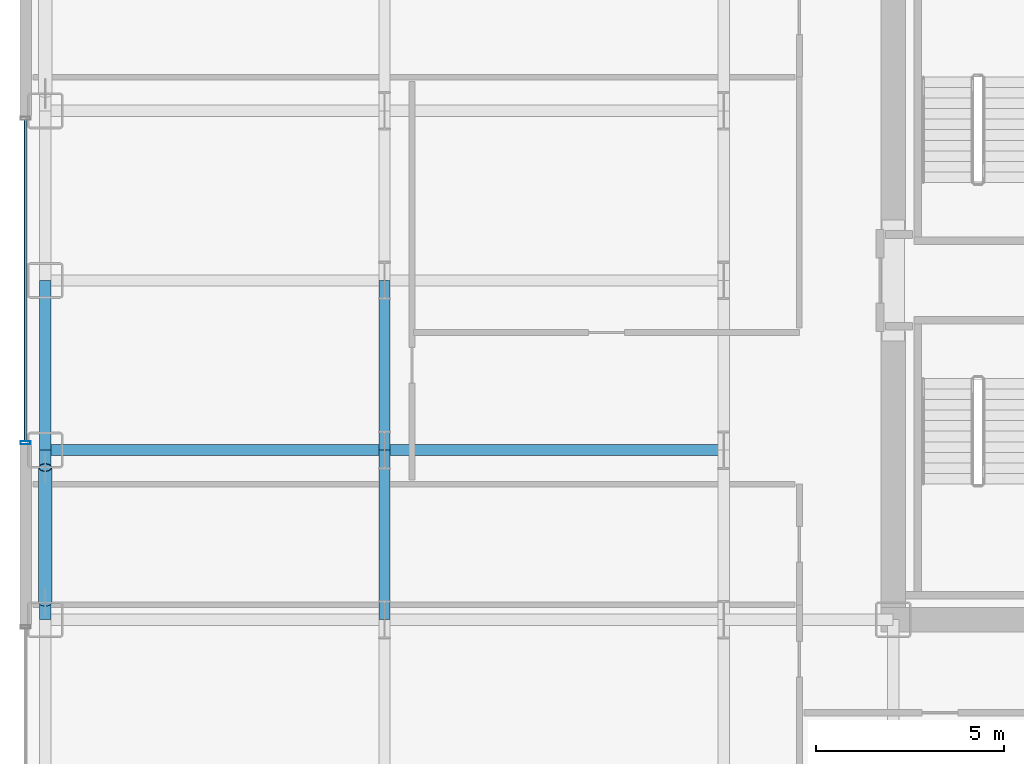
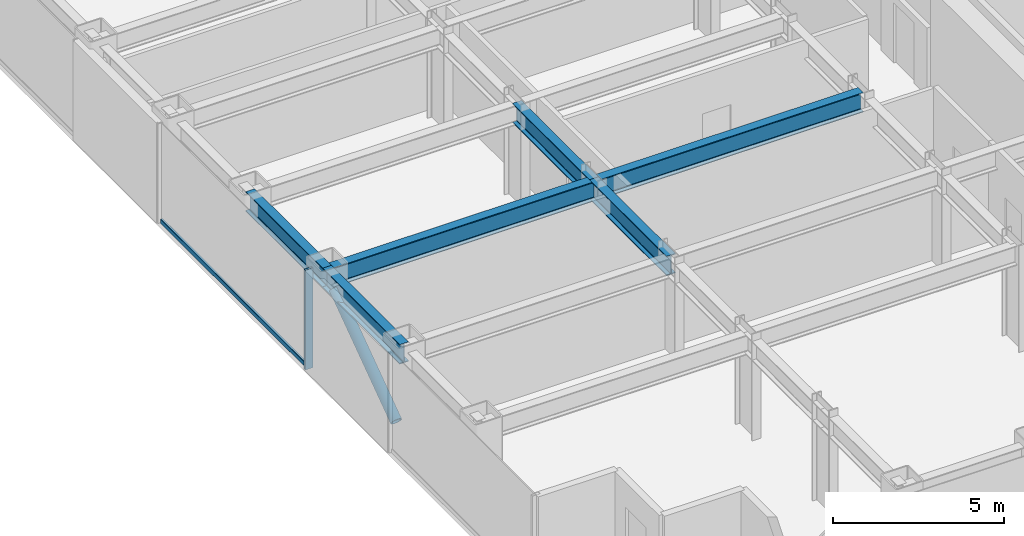
# One storey, part 5 of 29: 6 beams, 3 members, 1 element without a shape of its own.
"""IFC4 building model written with IfcOpenShell, lengths in metres."""

from ifc_helpers import new_model, si_unit, direction, frame, origin, origin_2d, place, context, subcontext, project, spatial, hollow_rectangle, hollow_circle, i_section, extrude, source, transform, mapped, material, layer, layer_set, material_profile, profile_set, type_object, element, aggregate, save


model = new_model("IFC4")

# Units and contexts
model_context = context("Model", 3, precision=1e-05, world=origin(), true_north=direction((0.0, 1.0)))
body_context = subcontext(model_context, "Body", "Model", "MODEL_VIEW")
ifc_project = project(units=[si_unit("LENGTHUNIT", "METRE"), si_unit("AREAUNIT", "SQUARE_METRE"), si_unit("VOLUMEUNIT", "CUBIC_METRE"), si_unit("PLANEANGLEUNIT", "RADIAN"), si_unit("MASSUNIT", "GRAM", prefix="KILO")], contexts=[model_context])

# Site, building, storey
site_placement = place(None, origin())
site = spatial("IfcSite", under=ifc_project, at=site_placement, CompositionType="ELEMENT")
building_placement = place(site_placement, origin())
building = spatial("IfcBuilding", under=site, at=building_placement, Name="Nefas-Gora Pilgrimage Tower", CompositionType="ELEMENT")
storey_placement = place(building_placement, frame((0.0, 0.0, 67.199951171875)))
storey = spatial("IfcBuildingStorey", under=building, at=storey_placement, Name="L15", CompositionType="ELEMENT", Elevation=67.199951171875)

# Beams
ifc_material_1 = material(Name="Steel S355", Category="steel")
ifc_material_profile_1 = material_profile(ifc_material_1, i_section(OverallWidth=0.300048828125, OverallDepth=0.699951171875, WebThickness=0.01708984375, FlangeThickness=0.031982421875, FilletRadius=0.027099609375, at=origin_2d()), Name="HEB 700")
ifc_profile_set_1 = profile_set([ifc_material_profile_1], Name="Steel S355")
beam_type_1 = type_object("IfcBeamType", Name="BM-SPN-HEB600", PredefinedType="SPANDREL", material=ifc_profile_set_1)
shared_shape_1 = source(origin(), body_context, "Body", "SweptSolid", [
    extrude(i_section(OverallWidth=0.300048828125, OverallDepth=0.699951171875, WebThickness=0.01708984375, FlangeThickness=0.031982421875, FilletRadius=0.027099609375, at=origin_2d()), origin(), (0.0, 0.0, 1.0), 4.5),
])
for number, where, z_axis, x_axis, name in (
    (1, (-33.75, -9.0, 3.199951171875), (0.0, 1.0, 0.0), (-1.0, 0.0, 0.0), "L15 SP-01 beam"),
    (2, (-33.75, -4.5, 3.199951171875), (0.0, 1.0, 0.0), (-1.0, 0.0, 0.0), "L15 SP-01 beam"),
):
    element("IfcBeam", number, at=place(storey_placement, frame(where, z_axis=z_axis, x_axis=x_axis)), inside=storey, type_object=beam_type_1, Name=name, PredefinedType="SPANDREL", context=body_context, shape_type="MappedRepresentation", body=[
        mapped(shared_shape_1, transform((0.0, 0.0, 0.0), x_axis=(1.0, 0.0, 0.0), y_axis=(0.0, 1.0, 0.0), z_axis=(0.0, 0.0, 1.0), scale=1.0)),
    ])
ifc_material_profile_2 = material_profile(ifc_material_1, i_section(OverallWidth=0.300048828125, OverallDepth=0.699951171875, WebThickness=0.01708984375, FlangeThickness=0.031982421875, FilletRadius=0.027099609375, at=origin_2d()), Name="HEB 700")
ifc_profile_set_2 = profile_set([ifc_material_profile_2], Name="Steel S355")
beam_type_2 = type_object("IfcBeamType", Name="BM-GIR-HEB700", PredefinedType="BEAM", material=ifc_profile_set_2)
shared_shape_2 = source(origin(), body_context, "Body", "SweptSolid", [
    extrude(i_section(OverallWidth=0.300048828125, OverallDepth=0.699951171875, WebThickness=0.01708984375, FlangeThickness=0.031982421875, FilletRadius=0.027099609375, at=origin_2d()), origin(), (0.0, 0.0, 1.0), 9.0),
])
for number, where, z_axis, x_axis, name in (
    (3, (-33.75, -4.5, 3.199951171875), (1.0, 0.0, 0.0), (0.0, 1.0, 0.0), "L15 G-02 beam"),
    (4, (-24.75, -4.5, 3.199951171875), (1.0, 0.0, 0.0), (0.0, 1.0, 0.0), "L15 G-02 beam"),
):
    element("IfcBeam", number, at=place(storey_placement, frame(where, z_axis=z_axis, x_axis=x_axis)), inside=storey, type_object=beam_type_2, Name=name, PredefinedType="BEAM", context=body_context, shape_type="MappedRepresentation", body=[
        mapped(shared_shape_2, transform((0.0, 0.0, 0.0), x_axis=(1.0, 0.0, 0.0), y_axis=(0.0, 1.0, 0.0), z_axis=(0.0, 0.0, 1.0), scale=1.0)),
    ])
shared_shape_3 = source(origin(), body_context, "Body", "SweptSolid", [
    extrude(i_section(OverallWidth=0.300048828125, OverallDepth=0.699951171875, WebThickness=0.01708984375, FlangeThickness=0.031982421875, FilletRadius=0.027099609375, at=origin_2d()), origin(), (0.0, 0.0, 1.0), 4.5),
])
for number, where, z_axis, x_axis, name in (
    (5, (-24.75, -9.0, 3.199951171875), (0.0, 1.0, 0.0), (-1.0, 0.0, 0.0), "L15 G-02 beam"),
    (6, (-24.75, -4.5, 3.199951171875), (0.0, 1.0, 0.0), (-1.0, 0.0, 0.0), "L15 G-02 beam"),
):
    element("IfcBeam", number, at=place(storey_placement, frame(where, z_axis=z_axis, x_axis=x_axis)), inside=storey, type_object=beam_type_2, Name=name, PredefinedType="BEAM", context=body_context, shape_type="MappedRepresentation", body=[
        mapped(shared_shape_3, transform((0.0, 0.0, 0.0), x_axis=(1.0, 0.0, 0.0), y_axis=(0.0, 1.0, 0.0), z_axis=(0.0, 0.0, 1.0), scale=1.0)),
    ])

# Member
ifc_material_2 = material(Name="Steel S460", Category="steel")
ifc_material_profile_3 = material_profile(ifc_material_2, hollow_circle(Radius=0.177734375, WallThickness=0.02001953125, at=origin_2d()), Name="CHS 355.6x20")
ifc_profile_set_3 = profile_set([ifc_material_profile_3], Name="Steel S460")
member_type_1 = type_object("IfcMemberType", Name="MEM-TUBE-356", PredefinedType="BRACE", material=ifc_profile_set_3)
shared_shape_4 = source(origin(), body_context, "Body", "SweptSolid", [
    extrude(hollow_circle(Radius=0.177734375, WallThickness=0.02001953125, at=origin_2d()), origin(), (0.0, 0.0, 1.0), 4.39501953125),
])
member_1_placement = place(storey_placement, frame((-33.75, -8.537109375, 0.4814453125), z_axis=(0.0, 0.813264026864, 0.581894855287), x_axis=(-1.0, 0.0, 0.0)))
element("IfcMember", 7, at=member_1_placement, inside=storey, type_object=member_type_1, Name="L15 Perimeter Tube Diagonal Brace W1", PredefinedType="BRACE", context=body_context, shape_type="MappedRepresentation", body=[
    mapped(shared_shape_4, transform((0.0, 0.0, 0.0), x_axis=(1.0, 0.0, 0.0), y_axis=(0.0, 1.0, 0.0), z_axis=(0.0, 0.0, 1.0), scale=1.0)),
])

# Curtain wall, members
ifc_material_3 = material(Name="Dark ceramic-fritted solar-control aluminium-glass curtain wall", Category="aluminium")
ifc_layer = layer(ifc_material_3, 0.219970703125)
ifc_layer_set = layer_set([ifc_layer], Name="Dark ceramic-fritted solar-control aluminium-glass curtain wall")
curtain_wall_type = type_object("IfcCurtainWallType", Name="CW-SYS-2", PredefinedType="NOTDEFINED", material=ifc_layer_set)
curtain_wall_placement = place(storey_placement, origin())
curtain_wall = element("IfcCurtainWall", 8, at=curtain_wall_placement, inside=storey, type_object=curtain_wall_type, Name="L15 Unitised Curtain Wall CW2", PredefinedType="NOTDEFINED")
ifc_material_4 = material(Name="Anodised architectural aluminium", Category="aluminium")
ifc_material_profile_4 = material_profile(ifc_material_4, hollow_rectangle(XDim=0.090087890625, YDim=0.260009765625, WallThickness=0.006103515625, InnerFilletRadius=0.006103515625, OuterFilletRadius=0.011962890625, at=origin_2d()), Name="ALU MULLION 90x260")
ifc_profile_set_4 = profile_set([ifc_material_profile_4], Name="Anodised architectural aluminium")
member_type_2 = type_object("IfcMemberType", Name="CWM-MUL-2", PredefinedType="MULLION", material=ifc_profile_set_4)
shared_shape_5 = source(origin(), body_context, "Body", "SweptSolid", [
    extrude(hollow_rectangle(XDim=0.090087890625, YDim=0.260009765625, WallThickness=0.006103515625, InnerFilletRadius=0.006103515625, OuterFilletRadius=0.011962890625, at=origin_2d()), origin(), (0.0, 0.0, 1.0), 3.550048828125),
])
member_2_placement = place(storey_placement, frame((-34.27001953125, -4.304931640625, 0.0), z_axis=(0.0, 0.0, 1.0), x_axis=(0.0, -1.0, 0.0)))
member_2 = element("IfcMember", 9, at=member_2_placement, type_object=member_type_2, Name="CW2 Mullion 2", PredefinedType="MULLION", context=body_context, shape_type="MappedRepresentation", body=[
    mapped(shared_shape_5, transform((0.0, 0.0, 0.0), x_axis=(1.0, 0.0, 0.0), y_axis=(0.0, 1.0, 0.0), z_axis=(0.0, 0.0, 1.0), scale=1.0)),
])
ifc_material_profile_5 = material_profile(ifc_material_4, hollow_rectangle(XDim=0.080078125, YDim=0.159912109375, WallThickness=0.00439453125, InnerFilletRadius=0.00439453125, OuterFilletRadius=0.009033203125, at=origin_2d()), Name="ALU TRANSOM 80x160")
ifc_profile_set_5 = profile_set([ifc_material_profile_5], Name="Anodised architectural aluminium")
member_type_3 = type_object("IfcMemberType", Name="CWM-TRN-2", PredefinedType="USERDEFINED", material=ifc_profile_set_5)
shared_shape_6 = source(origin(), body_context, "Body", "SweptSolid", [
    extrude(hollow_rectangle(XDim=0.080078125, YDim=0.159912109375, WallThickness=0.00439453125, InnerFilletRadius=0.00439453125, OuterFilletRadius=0.009033203125, at=origin_2d()), origin(), (0.0, 0.0, 1.0), 8.52001953125),
])
member_3_placement = place(storey_placement, frame((-34.27001953125, 4.260009765625, 0.050048828125), z_axis=(0.0, -1.0, 0.0), x_axis=(1.0, 0.0, 0.0)))
member_3 = element("IfcMember", 10, at=member_3_placement, type_object=member_type_3, Name="CW2 Spandrel Transom", ObjectType="TRANSOM", PredefinedType="USERDEFINED", context=body_context, shape_type="MappedRepresentation", body=[
    mapped(shared_shape_6, transform((0.0, 0.0, 0.0), x_axis=(1.0, 0.0, 0.0), y_axis=(0.0, 1.0, 0.0), z_axis=(0.0, 0.0, 1.0), scale=1.0)),
])
aggregate(curtain_wall, [member_2, member_3])

save(model, "model.ifc")
